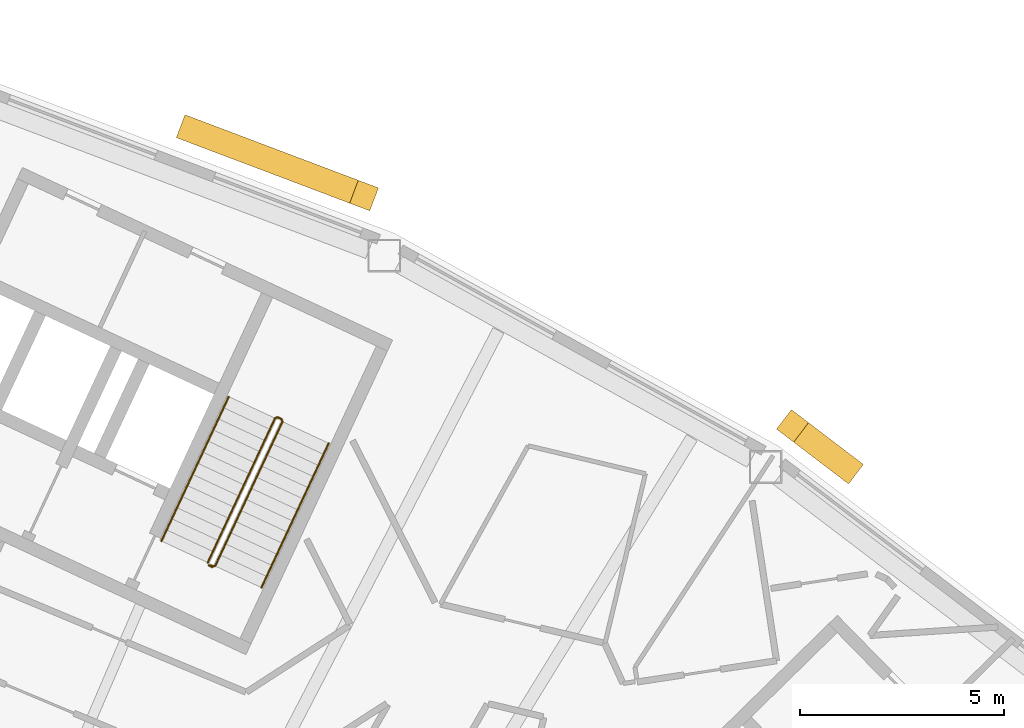
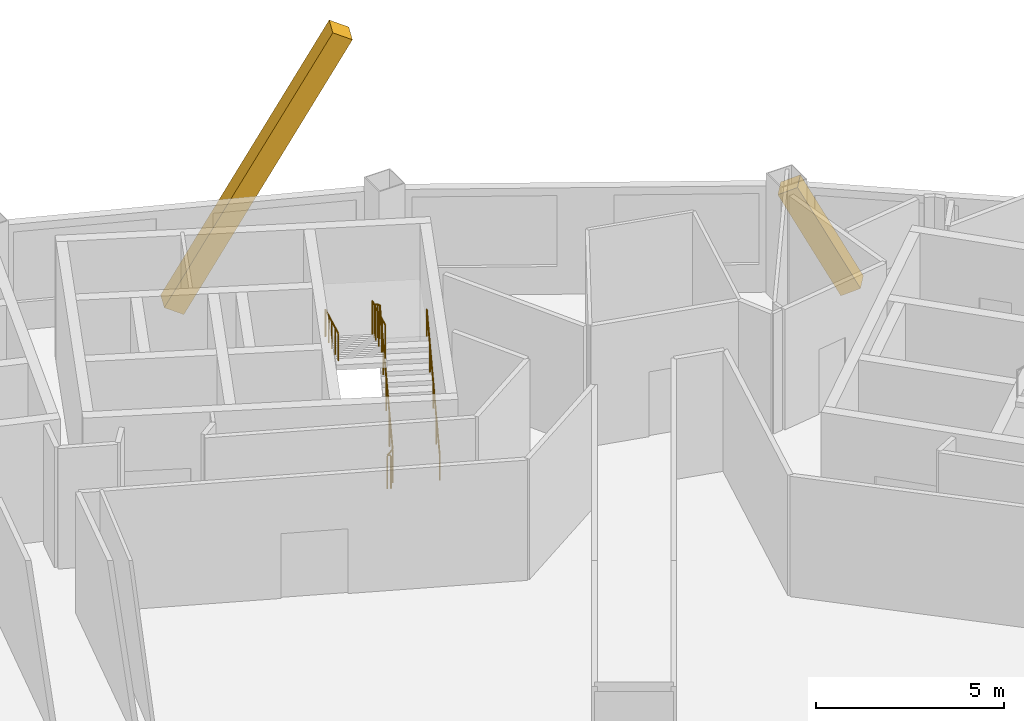
# One storey, part 13 of 13: 3 railings, 2 coverings.
"""IFC4 building model written with IfcOpenShell, lengths in metres."""

import ifcopenshell
import ifcopenshell.guid

model = None  # the IFC model being written
_history = None  # IfcOwnerHistory: only IFC2X3 demands one
_inside = {}  # id of a spatial element -> (the spatial element, [elements in it])
_under = {}  # id of a project, library or spatial element -> (it, [spatial elements below it])
_declared = {}  # id of a project -> (the project, [libraries it declares])
_typed = {}  # id of a type object -> (the type object, [elements of that type])
_made_of = {}  # id of a material, layer set ... -> (it, [elements and type objects made of it])


def new_model(schema):
    """Start an empty IFC model of exactly this schema.

    Asked for "IFC4X3", IfcOpenShell would pick the latest addendum, in which some entities
    have other attributes; the version numbers below select the first issue.
    IFC2X3 requires an IfcOwnerHistory on every rooted entity: one is made here for all.
    """
    global model, _history
    if schema == "IFC4X3":
        model = ifcopenshell.file(schema_version=(4, 3, 0, 0))
    else:
        model = ifcopenshell.file(schema=schema)
    _inside.clear()
    _under.clear()
    _declared.clear()
    _typed.clear()
    _made_of.clear()
    _history = None
    if model.schema == "IFC2X3":
        org = make("IfcOrganization", Name="unknown")
        user = make(
            "IfcPersonAndOrganization",
            ThePerson=make("IfcPerson", FamilyName="unknown"),
            TheOrganization=org,
        )
        app = make(
            "IfcApplication",
            ApplicationDeveloper=org,
            Version="unknown",
            ApplicationFullName="unknown",
            ApplicationIdentifier="unknown",
        )
        _history = make(
            "IfcOwnerHistory",
            OwningUser=user,
            OwningApplication=app,
            ChangeAction="ADDED",
            CreationDate=0,
        )
    return model


def make(cls, **values):
    """One entity of the class cls with the attributes given. An attribute that is None is left unset."""
    return model.create_entity(
        cls, **{name: value for name, value in values.items() if value is not None}
    )


def rooted(cls, **values):
    """An entity with a GlobalId (a new one), such as an element, a storey or a relation."""
    return make(cls, GlobalId=ifcopenshell.guid.new(), OwnerHistory=_history, **values)


def si_unit(unit_type, name, prefix=None):
    """IfcSIUnit, for example si_unit("LENGTHUNIT", "METRE", prefix="MILLI")."""
    return make("IfcSIUnit", UnitType=unit_type, Prefix=prefix, Name=name)


def assignment(units):
    """IfcUnitAssignment: the units of a project."""
    return None if units is None else make("IfcUnitAssignment", Units=units)


def point(xyz):
    """IfcCartesianPoint."""
    return None if xyz is None else make("IfcCartesianPoint", Coordinates=xyz)


def direction(xyz):
    """IfcDirection."""
    return None if xyz is None else make("IfcDirection", DirectionRatios=xyz)


def frame(location, z_axis=None, x_axis=None):
    """IfcAxis2Placement3D, a coordinate frame: its origin and axes. An axis left out is left unset."""
    return make(
        "IfcAxis2Placement3D",
        Location=point(location),
        Axis=direction(z_axis),
        RefDirection=direction(x_axis),
    )


def frame_2d(location, x_axis=None):
    """IfcAxis2Placement2D, a coordinate frame in the plane: its origin and x axis."""
    return make(
        "IfcAxis2Placement2D", Location=point(location), RefDirection=direction(x_axis)
    )


def origin():
    """The frame at (0, 0, 0) with its axes left unset."""
    return frame((0.0, 0.0, 0.0))


def origin_2d():
    """The frame at (0, 0) in the plane with its x axis left unset."""
    return frame_2d((0.0, 0.0))


def place(relative_to, where):
    """IfcLocalPlacement: puts the frame where relative to a parent placement (None: the world)."""
    return make(
        "IfcLocalPlacement", PlacementRelTo=relative_to, RelativePlacement=where
    )


def context(
    kind, dimensions, precision=None, world=None, true_north=None, identifier=None
):
    """IfcGeometricRepresentationContext, for example the 3D "Model" context."""
    return make(
        "IfcGeometricRepresentationContext",
        ContextIdentifier=identifier,
        ContextType=kind,
        CoordinateSpaceDimension=dimensions,
        Precision=precision,
        WorldCoordinateSystem=world,
        TrueNorth=true_north,
    )


def subcontext(parent, identifier, kind, view, scale=None):
    """IfcGeometricRepresentationSubContext, for example "Body" below "Model"."""
    return make(
        "IfcGeometricRepresentationSubContext",
        ContextIdentifier=identifier,
        ContextType=kind,
        ParentContext=parent,
        TargetScale=scale,
        TargetView=view,
    )


def project(units=None, contexts=None):
    """IfcProject with its units and contexts."""
    return rooted(
        "IfcProject",
        Name="project",
        RepresentationContexts=contexts,
        UnitsInContext=assignment(units),
    )


def spatial(cls, under=None, at=None, **own):
    """A site, building, storey or space (cls), placed at a placement, below another one or the project."""
    s = rooted(cls, ObjectPlacement=at, **own)
    if under is not None:
        _under.setdefault(under.id(), (under, []))[1].append(s)
    return s


def profile(cls, at=None, kind="AREA", **sizes):
    """A parametric profile (cls). Its sizes go by their IFC names, for example OverallWidth=200.0."""
    return make(cls, ProfileType=kind, Position=at, **sizes)


def rectangle(**sizes):
    """IfcRectangleProfileDef."""
    return profile("IfcRectangleProfileDef", **sizes)


def circle(**sizes):
    """IfcCircleProfileDef."""
    return profile("IfcCircleProfileDef", **sizes)


def extrude(swept, where, along, depth):
    """IfcExtrudedAreaSolid: the profile swept, set in the frame where, extruded along a direction by depth."""
    return make(
        "IfcExtrudedAreaSolid",
        SweptArea=swept,
        Position=where,
        ExtrudedDirection=direction(along),
        Depth=depth,
    )


def shape(context_of_items, identifier, shape_type, items):
    """IfcShapeRepresentation: the items that make up one representation, for example the "Body"."""
    return make(
        "IfcShapeRepresentation",
        ContextOfItems=context_of_items,
        RepresentationIdentifier=identifier,
        RepresentationType=shape_type,
        Items=items,
    )


def material(Name=None, Category=None):
    """IfcMaterial."""
    return make("IfcMaterial", Name=Name, Category=Category)


def material_profile(
    of_material, cross_section, Name=None, Category=None, Priority=None
):
    """IfcMaterialProfile: a cross section and its material."""
    return make(
        "IfcMaterialProfile",
        Name=Name,
        Material=of_material,
        Profile=cross_section,
        Priority=Priority,
        Category=Category,
    )


def profile_set(profiles, Name=None, composite=None):
    """IfcMaterialProfileSet."""
    return make(
        "IfcMaterialProfileSet",
        Name=Name,
        MaterialProfiles=profiles,
        CompositeProfile=composite,
    )


def made_of(thing, what):
    """Note that an element or type object is made of a material, layer set ...; save() writes the relation."""
    if what is not None:
        _made_of.setdefault(what.id(), (what, []))[1].append(thing)
    return thing


def type_object(cls, material=None, **own):
    """A type object (cls), such as IfcWallType, which elements share."""
    return made_of(rooted(cls, **own), material)


def element(
    cls,
    number,
    at=None,
    inside=None,
    cuts=None,
    type_object=None,
    material=None,
    context=None,
    identifier="Body",
    shape_type=None,
    held_by="IfcProductDefinitionShape",
    body=None,
    shapes=None,
    **own,
):
    """One element of the class cls, such as IfcWall. Its Tag is "e" and its number.

    at: its placement. inside: the storey or other place that contains it. cuts: it is an
    opening in that element (IfcRelVoidsElement). A single representation is given by context,
    identifier, shape_type and body (its items); several are given by shapes. held_by: the class
    of the entity that holds the representations. save() writes the other relations.
    """
    e = rooted(cls, Tag="e%d" % number, ObjectPlacement=at, **own)
    if body is not None:
        shapes = [shape(context, identifier, shape_type, body)]
    if shapes is not None:
        e.Representation = make(held_by, Representations=shapes)
    if inside is not None:
        _inside.setdefault(inside.id(), (inside, []))[1].append(e)
    if cuts is not None:
        rooted(
            "IfcRelVoidsElement", RelatingBuildingElement=cuts, RelatedOpeningElement=e
        )
    if type_object is not None:
        _typed.setdefault(type_object.id(), (type_object, []))[1].append(e)
    return made_of(e, material)


def aggregate(whole, parts):
    """IfcRelAggregates: a whole, such as a stair, and the parts it consists of."""
    return rooted("IfcRelAggregates", RelatingObject=whole, RelatedObjects=parts)


def save(model, path):
    """Write the relations noted so far, then the file.

    IfcRelAggregates (storeys below a building ...), IfcRelContainedInSpatialStructure (elements
    in a storey), IfcRelDefinesByType, IfcRelAssociatesMaterial and IfcRelDeclares: one each for
    every whole, place, type object, material and project.
    """
    for whole, parts in _under.values():
        aggregate(whole, parts)
    for where, things in _inside.values():
        rooted(
            "IfcRelContainedInSpatialStructure",
            RelatedElements=things,
            RelatingStructure=where,
        )
    for kind, things in _typed.values():
        rooted("IfcRelDefinesByType", RelatedObjects=things, RelatingType=kind)
    for what, things in _made_of.values():
        rooted("IfcRelAssociatesMaterial", RelatedObjects=things, RelatingMaterial=what)
    for by, libraries in _declared.values():
        rooted("IfcRelDeclares", RelatingContext=by, RelatedDefinitions=libraries)
    model.write(path)


model = new_model("IFC4")

# Units and contexts
model_context = context("Model", 3, precision=1e-05, world=origin(), true_north=direction((0.0, 1.0)))
body_context = subcontext(model_context, "Body", "Model", "MODEL_VIEW")
ifc_project = project(units=[si_unit("LENGTHUNIT", "METRE"), si_unit("AREAUNIT", "SQUARE_METRE"), si_unit("VOLUMEUNIT", "CUBIC_METRE"), si_unit("PLANEANGLEUNIT", "RADIAN"), si_unit("MASSUNIT", "GRAM", prefix="KILO")], contexts=[model_context])

# Site, building, storey
site_placement = place(None, origin())
site = spatial("IfcSite", under=ifc_project, at=site_placement, CompositionType="ELEMENT")
building_placement = place(site_placement, origin())
building = spatial("IfcBuilding", under=site, at=building_placement, Name="Tuul Gate Civic Tower", CompositionType="ELEMENT")
storey_placement = place(building_placement, frame((0.0, 0.0, 294.199951171875)))
storey = spatial("IfcBuildingStorey", under=building, at=storey_placement, Name="Level 66", CompositionType="ELEMENT", Elevation=294.199951171875)

# Railings
ifc_material_1 = material(Name="Painted steel", Category="steel")
railing_type_1 = type_object("IfcRailingType", Name="Stair guard", PredefinedType="GUARDRAIL", material=ifc_material_1)
railing_1_placement = place(storey_placement, frame((33.645751953125, -5.238525390625, 0.0)))
element("IfcRailing", 1, at=railing_1_placement, inside=storey, type_object=railing_type_1, Name="Level 66 ST-4 stair guard 1", PredefinedType="GUARDRAIL", context=body_context, shape_type="SweptSolid", body=[
    extrude(circle(Radius=0.02392578125, at=origin_2d()), frame((0.0, 0.0, 1.076171875), z_axis=(-0.906307919131, 0.422617978463, 0.0), x_axis=(-0.422617978463, -0.906307919131, 0.0)), (0.0, 0.0, 1.0), 0.099853515625),
    extrude(circle(Radius=0.02392578125, at=origin_2d()), frame((-0.090576171875, 0.042236328125, 1.076171875), z_axis=(0.720179819621, -0.082882280952, 0.688818956559), x_axis=(0.114330889033, 0.993442724979, 0.0)), (0.0, 0.0, 1.0), 0.218017578125),
    extrude(circle(Radius=0.02392578125, at=origin_2d()), frame((0.06640625, 0.024169921875, 1.22607421875), z_axis=(0.377946903738, 0.810654114417, 0.447209173356), x_axis=(-0.906336612539, 0.422556439746, 0.0)), (0.0, 0.0, 1.0), 4.3603515625),
    extrude(circle(Radius=0.02392578125, at=origin_2d()), frame((1.71435546875, 3.558837890625, 3.17626953125), z_axis=(-0.342020437038, 0.939692513883, 0.0), x_axis=(-0.939692513883, -0.342020437038, 0.0)), (0.0, 0.0, 1.0), 0.070556640625),
    extrude(circle(Radius=0.02392578125, at=origin_2d()), frame((1.690185546875, 3.625244140625, 3.17626953125), z_axis=(-0.906307919131, 0.422617978463, 0.0), x_axis=(-0.422617978463, -0.906307919131, 0.0)), (0.0, 0.0, 1.0), 0.099853515625),
    extrude(circle(Radius=0.02392578125, at=origin_2d()), frame((1.599609375, 3.66748046875, 3.17626953125), z_axis=(-0.40070210376, -0.145843780413, 0.904526072458), x_axis=(0.342020437038, -0.939692513883, 0.0)), (0.0, 0.0, 1.0), 0.165771484375),
    extrude(circle(Radius=0.02392578125, at=origin_2d()), frame((1.533203125, 3.643310546875, 3.326171875), z_axis=(-0.377946903738, -0.810654114417, 0.447209173356), x_axis=(0.906336612539, -0.422556439746, 0.0)), (0.0, 0.0, 1.0), 4.3603515625),
    extrude(circle(Radius=0.02099609375, at=origin_2d()), origin(), (0.0, 0.0, 1.0), 1.052001953125),
    extrude(circle(Radius=0.02099609375, at=origin_2d()), frame((-0.090576171875, 0.042236328125, 0.0)), (0.0, 0.0, 1.0), 1.052001953125),
    extrude(circle(Radius=0.02099609375, at=origin_2d()), frame((0.06640625, 0.024169921875, 0.150146484375)), (0.0, 0.0, 1.0), 1.052001953125),
    extrude(circle(Radius=0.02099609375, at=origin_2d()), frame((0.478515625, 0.90771484375, 0.6376953125)), (0.0, 0.0, 1.0), 1.052001953125),
    extrude(circle(Radius=0.02099609375, at=origin_2d()), frame((0.890380859375, 1.79150390625, 1.125)), (0.0, 0.0, 1.0), 1.052001953125),
    extrude(circle(Radius=0.02099609375, at=origin_2d()), frame((1.30224609375, 2.67529296875, 1.612548828125)), (0.0, 0.0, 1.0), 1.052001953125),
    extrude(circle(Radius=0.02099609375, at=origin_2d()), frame((1.71435546875, 3.558837890625, 2.10009765625)), (0.0, 0.0, 1.0), 1.052001953125),
    extrude(circle(Radius=0.02099609375, at=origin_2d()), frame((1.690185546875, 3.625244140625, 2.10009765625)), (0.0, 0.0, 1.0), 1.052001953125),
    extrude(circle(Radius=0.02099609375, at=origin_2d()), frame((1.599609375, 3.66748046875, 2.10009765625)), (0.0, 0.0, 1.0), 1.052001953125),
    extrude(circle(Radius=0.02099609375, at=origin_2d()), frame((1.533203125, 3.643310546875, 2.25)), (0.0, 0.0, 1.0), 1.052001953125),
    extrude(circle(Radius=0.02099609375, at=origin_2d()), frame((1.12109375, 2.759765625, 2.737548828125)), (0.0, 0.0, 1.0), 1.052001953125),
    extrude(circle(Radius=0.02099609375, at=origin_2d()), frame((0.709228515625, 1.8759765625, 3.22509765625)), (0.0, 0.0, 1.0), 1.052001953125),
    extrude(circle(Radius=0.02099609375, at=origin_2d()), frame((0.29736328125, 0.9921875, 3.71240234375)), (0.0, 0.0, 1.0), 1.052001953125),
    extrude(circle(Radius=0.02099609375, at=origin_2d()), frame((-0.11474609375, 0.108642578125, 4.199951171875)), (0.0, 0.0, 1.0), 1.052001953125),
])
ifc_material_2 = material(Name="Painted steel", Category="steel")
railing_type_2 = type_object("IfcRailingType", Name="Stair handrail", PredefinedType="HANDRAIL", material=ifc_material_2)
railing_2_placement = place(storey_placement, frame((34.844970703125, -5.74267578125, 0.150146484375)))
element("IfcRailing", 2, at=railing_2_placement, inside=storey, type_object=railing_type_2, Name="Level 66 ST-4 stair handrail 1", PredefinedType="HANDRAIL", context=body_context, shape_type="SweptSolid", body=[
    extrude(circle(Radius=0.02392578125, at=origin_2d()), frame((0.0, 0.0, 0.8759765625), z_axis=(0.377994896215, 0.810636958585, 0.447199709091), x_axis=(-0.906312636903, 0.422607861012, 0.0)), (0.0, 0.0, 1.0), 4.3603515625),
    extrude(circle(Radius=0.02099609375, at=origin_2d()), origin(), (0.0, 0.0, 1.0), 0.851806640625),
    extrude(circle(Radius=0.02099609375, at=origin_2d()), frame((0.412109375, 0.8837890625, 0.487548828125)), (0.0, 0.0, 1.0), 0.851806640625),
    extrude(circle(Radius=0.02099609375, at=origin_2d()), frame((0.82421875, 1.767333984375, 0.97509765625)), (0.0, 0.0, 1.0), 0.851806640625),
    extrude(circle(Radius=0.02099609375, at=origin_2d()), frame((1.236083984375, 2.65087890625, 1.46240234375)), (0.0, 0.0, 1.0), 0.851806640625),
    extrude(circle(Radius=0.02099609375, at=origin_2d()), frame((1.648193359375, 3.53466796875, 1.949951171875)), (0.0, 0.0, 1.0), 0.851806640625),
])
railing_3_placement = place(storey_placement, frame((34.046142578125, -1.06689453125, 2.25)))
element("IfcRailing", 3, at=railing_3_placement, inside=storey, type_object=railing_type_2, Name="Level 66 ST-4 stair handrail 2", PredefinedType="HANDRAIL", context=body_context, shape_type="SweptSolid", body=[
    extrude(circle(Radius=0.02392578125, at=origin_2d()), frame((0.0, 0.0, 0.8759765625), z_axis=(-0.377994896215, -0.810636958585, 0.447199709091), x_axis=(0.906312636903, -0.422607861012, 0.0)), (0.0, 0.0, 1.0), 4.3603515625),
    extrude(circle(Radius=0.02099609375, at=origin_2d()), origin(), (0.0, 0.0, 1.0), 0.851806640625),
    extrude(circle(Radius=0.02099609375, at=origin_2d()), frame((-0.412109375, -0.8837890625, 0.487548828125)), (0.0, 0.0, 1.0), 0.851806640625),
    extrude(circle(Radius=0.02099609375, at=origin_2d()), frame((-0.82421875, -1.767333984375, 0.97509765625)), (0.0, 0.0, 1.0), 0.851806640625),
    extrude(circle(Radius=0.02099609375, at=origin_2d()), frame((-1.236083984375, -2.65087890625, 1.46240234375)), (0.0, 0.0, 1.0), 0.851806640625),
    extrude(circle(Radius=0.02099609375, at=origin_2d()), frame((-1.648193359375, -3.53466796875, 1.949951171875)), (0.0, 0.0, 1.0), 0.851806640625),
])

# Coverings
ifc_material_3 = material(Name="Terracotta baguette", Category="masonry")
ifc_material_profile = material_profile(ifc_material_3, rectangle(XDim=0.60009765625, YDim=0.60009765625, at=origin_2d()), Name="Terracotta baguette screen frame")
ifc_profile_set = profile_set([ifc_material_profile], Name="Terracotta baguette")
covering_type = type_object("IfcCoveringType", Name="Terracotta baguette screen frame", PredefinedType="CLADDING", material=ifc_profile_set)
covering_1_placement = place(storey_placement, frame((49.19140625, -2.80615234375, -0.349853515625), z_axis=(-0.37804535846, 0.287828427225, 0.879907099317), x_axis=(-0.605768691074, -0.795640806467, 0.0)))
element("IfcCovering", 4, at=covering_1_placement, inside=storey, type_object=covering_type, Name="Baguette 39", PredefinedType="CLADDING", context=body_context, shape_type="SweptSolid", body=[
    extrude(rectangle(XDim=0.60009765625, YDim=0.60009765625, at=origin_2d()), origin(), (0.0, 0.0, 1.0), 3.55322265625),
])
covering_2_placement = place(storey_placement, frame((37.357666015625, 3.855712890625, 8.050048828125), z_axis=(-0.444469529383, 0.168069835852, -0.879885997006), x_axis=(-0.353693598078, -0.935361341236, 0.0)))
element("IfcCovering", 5, at=covering_2_placement, inside=storey, type_object=covering_type, Name="Baguette 51", PredefinedType="CLADDING", context=body_context, shape_type="SweptSolid", body=[
    extrude(rectangle(XDim=0.60009765625, YDim=0.60009765625, at=origin_2d()), origin(), (0.0, 0.0, 1.0), 9.546630859375),
])

save(model, "model.ifc")
